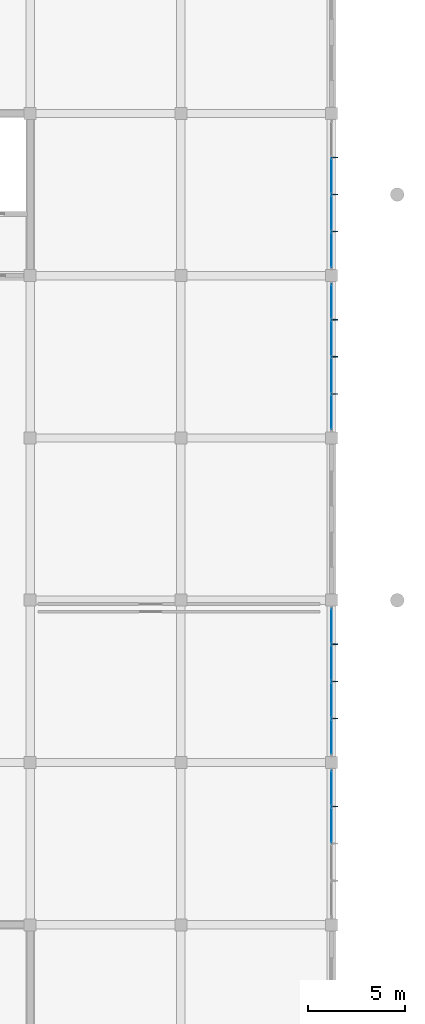
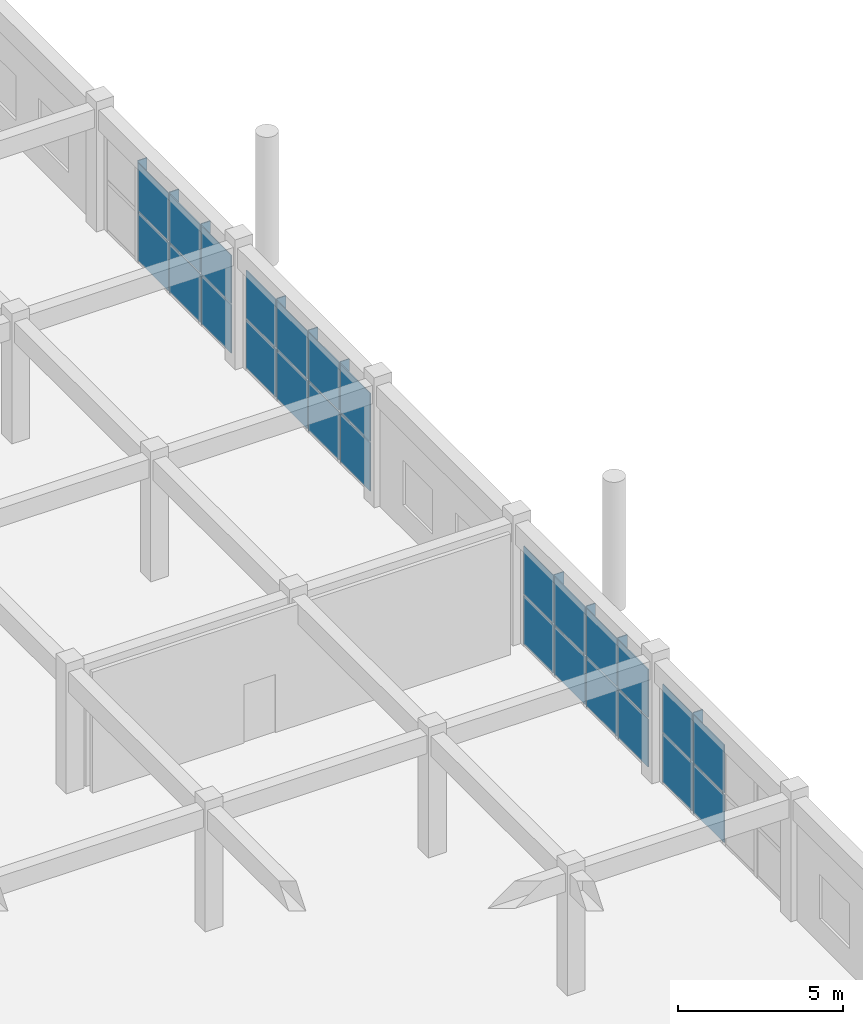
# One storey, part 145 of 167: 36 plates, 4 elements without a shape of their own.
"""IFC4 building model written with IfcOpenShell, lengths in metres."""

from ifc_helpers import new_model, si_unit, direction, frame, origin, origin_2d, place, context, subcontext, project, spatial, polyline, rectangle, outline, extrude, material, layer, layer_set, type_object, element, aggregate, save


model = new_model("IFC4")

# Units and contexts
model_context = context("Model", 3, precision=1e-05, world=origin(), true_north=direction((0.0, 1.0)))
body_context = subcontext(model_context, "Body", "Model", "MODEL_VIEW")
ifc_project = project(units=[si_unit("LENGTHUNIT", "METRE"), si_unit("AREAUNIT", "SQUARE_METRE"), si_unit("VOLUMEUNIT", "CUBIC_METRE"), si_unit("PLANEANGLEUNIT", "RADIAN"), si_unit("MASSUNIT", "GRAM", prefix="KILO")], contexts=[model_context])

# Site, building, storey
site_placement = place(None, origin())
site = spatial("IfcSite", under=ifc_project, at=site_placement, CompositionType="ELEMENT")
building_placement = place(site_placement, origin())
building = spatial("IfcBuilding", under=site, at=building_placement, Name="Zizhar Promenade General Hospital", CompositionType="ELEMENT")
storey_placement = place(building_placement, frame((0.0, 0.0, 9.60009765625)))
storey = spatial("IfcBuildingStorey", under=building, at=storey_placement, Name="L02", CompositionType="ELEMENT", Elevation=9.60009765625)

# Curtain wall, plates
ifc_material_1 = material(Name="Anodised aluminium 6063-T6 and low-E glass", Category="aluminium")
ifc_layer_1 = layer(ifc_material_1, 0.159912109375)
ifc_layer_set_1 = layer_set([ifc_layer_1], Name="Anodised aluminium 6063-T6 and low-E glass")
curtain_wall_type = type_object("IfcCurtainWallType", Name="CW-CLN-EXT", PredefinedType="NOTDEFINED", material=ifc_layer_set_1)
curtain_wall_1_placement = place(storey_placement, origin())
curtain_wall_1 = element("IfcCurtainWall", 1, at=curtain_wall_1_placement, inside=storey, type_object=curtain_wall_type, Name="Outpatient East Curtain Wall L02-7", PredefinedType="NOTDEFINED")
ifc_material_2 = material(Name="Low-E solar-control glass", Category="glass")
ifc_layer_2 = layer(ifc_material_2, 0.031982421875)
ifc_layer_set_2 = layer_set([ifc_layer_2], Name="Low-E solar-control glass")
plate_type_1 = type_object("IfcPlateType", Name="CWP-GLZ-32", PredefinedType="CURTAIN_PANEL", material=ifc_layer_set_2)
plate_1_placement = place(storey_placement, frame((195.0, 65.860107421875, 0.06005859375), z_axis=(0.0, 0.0, 1.0), x_axis=(0.0, -1.0, 0.0)))
plate_1 = element("IfcPlate", 2, at=plate_1_placement, type_object=plate_type_1, Name="CW-09 panel 1.1", PredefinedType="CURTAIN_PANEL", context=body_context, shape_type="SweptSolid", body=[
    extrude(rectangle(XDim=1.800048828125, YDim=0.031982421875, at=origin_2d()), origin(), (0.0, 0.0, 1.0), 1.77490234375),
])
plate_2_placement = place(storey_placement, frame((195.0, 65.860107421875, 1.89501953125), z_axis=(0.0, 0.0, 1.0), x_axis=(0.0, -1.0, 0.0)))
plate_2 = element("IfcPlate", 3, at=plate_2_placement, type_object=plate_type_1, Name="CW-09 panel 1.2", PredefinedType="CURTAIN_PANEL", context=body_context, shape_type="SweptSolid", body=[
    extrude(rectangle(XDim=1.800048828125, YDim=0.031982421875, at=origin_2d()), origin(), (0.0, 0.0, 1.0), 1.77490234375),
])
plate_3_placement = place(storey_placement, frame((195.0, 63.9599609375, 0.06005859375), z_axis=(0.0, 0.0, 1.0), x_axis=(0.0, -1.0, 0.0)))
plate_3 = element("IfcPlate", 4, at=plate_3_placement, type_object=plate_type_1, Name="CW-09 panel 2.1", PredefinedType="CURTAIN_PANEL", context=body_context, shape_type="SweptSolid", body=[
    extrude(rectangle(XDim=1.840087890625, YDim=0.031982421875, at=origin_2d()), origin(), (0.0, 0.0, 1.0), 1.77490234375),
])
plate_4_placement = place(storey_placement, frame((195.0, 63.9599609375, 1.89501953125), z_axis=(0.0, 0.0, 1.0), x_axis=(0.0, -1.0, 0.0)))
plate_4 = element("IfcPlate", 5, at=plate_4_placement, type_object=plate_type_1, Name="CW-09 panel 2.2", PredefinedType="CURTAIN_PANEL", context=body_context, shape_type="SweptSolid", body=[
    extrude(rectangle(XDim=1.840087890625, YDim=0.031982421875, at=origin_2d()), origin(), (0.0, 0.0, 1.0), 1.77490234375),
])
aggregate(curtain_wall_1, [plate_1, plate_2, plate_3, plate_4])

curtain_wall_2_placement = place(storey_placement, origin())
curtain_wall_2 = element("IfcCurtainWall", 6, at=curtain_wall_2_placement, inside=storey, type_object=curtain_wall_type, Name="Outpatient East Curtain Wall L02-8", PredefinedType="NOTDEFINED")
plate_5_placement = place(storey_placement, frame((195.0, 74.260009765625, 0.06005859375), z_axis=(0.0, 0.0, 1.0), x_axis=(0.0, -1.0, 0.0)))
plate_5 = element("IfcPlate", 7, at=plate_5_placement, type_object=plate_type_1, Name="CW-09 panel 1.1", PredefinedType="CURTAIN_PANEL", context=body_context, shape_type="SweptSolid", body=[
    extrude(rectangle(XDim=1.800048828125, YDim=0.031982421875, at=origin_2d()), origin(), (0.0, 0.0, 1.0), 1.77490234375),
])
plate_6_placement = place(storey_placement, frame((195.0, 74.260009765625, 1.89501953125), z_axis=(0.0, 0.0, 1.0), x_axis=(0.0, -1.0, 0.0)))
plate_6 = element("IfcPlate", 8, at=plate_6_placement, type_object=plate_type_1, Name="CW-09 panel 1.2", PredefinedType="CURTAIN_PANEL", context=body_context, shape_type="SweptSolid", body=[
    extrude(rectangle(XDim=1.800048828125, YDim=0.031982421875, at=origin_2d()), origin(), (0.0, 0.0, 1.0), 1.77490234375),
])
plate_7_placement = place(storey_placement, frame((195.0, 72.360107421875, 0.06005859375), z_axis=(0.0, 0.0, 1.0), x_axis=(0.0, -1.0, 0.0)))
plate_7 = element("IfcPlate", 9, at=plate_7_placement, type_object=plate_type_1, Name="CW-09 panel 2.1", PredefinedType="CURTAIN_PANEL", context=body_context, shape_type="SweptSolid", body=[
    extrude(rectangle(XDim=1.840087890625, YDim=0.031982421875, at=origin_2d()), origin(), (0.0, 0.0, 1.0), 1.77490234375),
])
plate_8_placement = place(storey_placement, frame((195.0, 72.360107421875, 1.89501953125), z_axis=(0.0, 0.0, 1.0), x_axis=(0.0, -1.0, 0.0)))
plate_8 = element("IfcPlate", 10, at=plate_8_placement, type_object=plate_type_1, Name="CW-09 panel 2.2", PredefinedType="CURTAIN_PANEL", context=body_context, shape_type="SweptSolid", body=[
    extrude(rectangle(XDim=1.840087890625, YDim=0.031982421875, at=origin_2d()), origin(), (0.0, 0.0, 1.0), 1.77490234375),
])
plate_9_placement = place(storey_placement, frame((195.0, 70.43994140625, 0.06005859375), z_axis=(0.0, 0.0, 1.0), x_axis=(0.0, -1.0, 0.0)))
plate_9 = element("IfcPlate", 11, at=plate_9_placement, type_object=plate_type_1, Name="CW-09 panel 3.1", PredefinedType="CURTAIN_PANEL", context=body_context, shape_type="SweptSolid", body=[
    extrude(rectangle(XDim=1.840087890625, YDim=0.031982421875, at=origin_2d()), origin(), (0.0, 0.0, 1.0), 1.77490234375),
])
plate_10_placement = place(storey_placement, frame((195.0, 70.43994140625, 1.89501953125), z_axis=(0.0, 0.0, 1.0), x_axis=(0.0, -1.0, 0.0)))
plate_10 = element("IfcPlate", 12, at=plate_10_placement, type_object=plate_type_1, Name="CW-09 panel 3.2", PredefinedType="CURTAIN_PANEL", context=body_context, shape_type="SweptSolid", body=[
    extrude(rectangle(XDim=1.840087890625, YDim=0.031982421875, at=origin_2d()), origin(), (0.0, 0.0, 1.0), 1.77490234375),
])
plate_11_placement = place(storey_placement, frame((195.0, 68.5400390625, 0.06005859375), z_axis=(0.0, 0.0, 1.0), x_axis=(0.0, -1.0, 0.0)))
plate_11 = element("IfcPlate", 13, at=plate_11_placement, type_object=plate_type_1, Name="CW-09 panel 4.1", PredefinedType="CURTAIN_PANEL", context=body_context, shape_type="SweptSolid", body=[
    extrude(rectangle(XDim=1.800048828125, YDim=0.031982421875, at=origin_2d()), origin(), (0.0, 0.0, 1.0), 1.77490234375),
])
plate_12_placement = place(storey_placement, frame((195.0, 68.5400390625, 1.89501953125), z_axis=(0.0, 0.0, 1.0), x_axis=(0.0, -1.0, 0.0)))
plate_12 = element("IfcPlate", 14, at=plate_12_placement, type_object=plate_type_1, Name="CW-09 panel 4.2", PredefinedType="CURTAIN_PANEL", context=body_context, shape_type="SweptSolid", body=[
    extrude(rectangle(XDim=1.800048828125, YDim=0.031982421875, at=origin_2d()), origin(), (0.0, 0.0, 1.0), 1.77490234375),
])
aggregate(curtain_wall_2, [plate_5, plate_6, plate_7, plate_8, plate_9, plate_10, plate_11, plate_12])

curtain_wall_3_placement = place(storey_placement, origin())
curtain_wall_3 = element("IfcCurtainWall", 15, at=curtain_wall_3_placement, inside=storey, type_object=curtain_wall_type, Name="Outpatient East Curtain Wall L02-10", PredefinedType="NOTDEFINED")
plate_13_placement = place(storey_placement, frame((195.0, 91.06005859375, 0.06005859375), z_axis=(0.0, 0.0, 1.0), x_axis=(0.0, -1.0, 0.0)))
plate_13 = element("IfcPlate", 16, at=plate_13_placement, type_object=plate_type_1, Name="CW-09 panel 1.1", PredefinedType="CURTAIN_PANEL", context=body_context, shape_type="SweptSolid", body=[
    extrude(rectangle(XDim=1.800048828125, YDim=0.031982421875, at=origin_2d()), origin(), (0.0, 0.0, 1.0), 1.77490234375),
])
plate_14_placement = place(storey_placement, frame((195.0, 91.06005859375, 1.89501953125), z_axis=(0.0, 0.0, 1.0), x_axis=(0.0, -1.0, 0.0)))
plate_14 = element("IfcPlate", 17, at=plate_14_placement, type_object=plate_type_1, Name="CW-09 panel 1.2", PredefinedType="CURTAIN_PANEL", context=body_context, shape_type="SweptSolid", body=[
    extrude(rectangle(XDim=1.800048828125, YDim=0.031982421875, at=origin_2d()), origin(), (0.0, 0.0, 1.0), 1.77490234375),
])
plate_15_placement = place(storey_placement, frame((195.0, 89.159912109375, 0.06005859375), z_axis=(0.0, 0.0, 1.0), x_axis=(0.0, -1.0, 0.0)))
plate_15 = element("IfcPlate", 18, at=plate_15_placement, type_object=plate_type_1, Name="CW-09 panel 2.1", PredefinedType="CURTAIN_PANEL", context=body_context, shape_type="SweptSolid", body=[
    extrude(rectangle(XDim=1.840087890625, YDim=0.031982421875, at=origin_2d()), origin(), (0.0, 0.0, 1.0), 1.77490234375),
])
plate_16_placement = place(storey_placement, frame((195.0, 89.159912109375, 1.89501953125), z_axis=(0.0, 0.0, 1.0), x_axis=(0.0, -1.0, 0.0)))
plate_16 = element("IfcPlate", 19, at=plate_16_placement, type_object=plate_type_1, Name="CW-09 panel 2.2", PredefinedType="CURTAIN_PANEL", context=body_context, shape_type="SweptSolid", body=[
    extrude(rectangle(XDim=1.840087890625, YDim=0.031982421875, at=origin_2d()), origin(), (0.0, 0.0, 1.0), 1.77490234375),
])
plate_17_placement = place(storey_placement, frame((195.0, 87.239990234375, 0.06005859375), z_axis=(0.0, 0.0, 1.0), x_axis=(0.0, -1.0, 0.0)))
plate_17 = element("IfcPlate", 20, at=plate_17_placement, type_object=plate_type_1, Name="CW-09 panel 3.1", PredefinedType="CURTAIN_PANEL", context=body_context, shape_type="SweptSolid", body=[
    extrude(rectangle(XDim=1.840087890625, YDim=0.031982421875, at=origin_2d()), origin(), (0.0, 0.0, 1.0), 1.77490234375),
])
plate_18_placement = place(storey_placement, frame((195.0, 87.239990234375, 1.89501953125), z_axis=(0.0, 0.0, 1.0), x_axis=(0.0, -1.0, 0.0)))
plate_18 = element("IfcPlate", 21, at=plate_18_placement, type_object=plate_type_1, Name="CW-09 panel 3.2", PredefinedType="CURTAIN_PANEL", context=body_context, shape_type="SweptSolid", body=[
    extrude(rectangle(XDim=1.840087890625, YDim=0.031982421875, at=origin_2d()), origin(), (0.0, 0.0, 1.0), 1.77490234375),
])
plate_19_placement = place(storey_placement, frame((195.0, 85.340087890625, 0.06005859375), z_axis=(0.0, 0.0, 1.0), x_axis=(0.0, -1.0, 0.0)))
plate_19 = element("IfcPlate", 22, at=plate_19_placement, type_object=plate_type_1, Name="CW-09 panel 4.1", PredefinedType="CURTAIN_PANEL", context=body_context, shape_type="SweptSolid", body=[
    extrude(rectangle(XDim=1.800048828125, YDim=0.031982421875, at=origin_2d()), origin(), (0.0, 0.0, 1.0), 1.77490234375),
])
plate_20_placement = place(storey_placement, frame((195.0, 85.340087890625, 1.89501953125), z_axis=(0.0, 0.0, 1.0), x_axis=(0.0, -1.0, 0.0)))
plate_20 = element("IfcPlate", 23, at=plate_20_placement, type_object=plate_type_1, Name="CW-09 panel 4.2", PredefinedType="CURTAIN_PANEL", context=body_context, shape_type="SweptSolid", body=[
    extrude(rectangle(XDim=1.800048828125, YDim=0.031982421875, at=origin_2d()), origin(), (0.0, 0.0, 1.0), 1.77490234375),
])
aggregate(curtain_wall_3, [plate_13, plate_14, plate_15, plate_16, plate_17, plate_18, plate_19, plate_20])

curtain_wall_4_placement = place(storey_placement, origin())
curtain_wall_4 = element("IfcCurtainWall", 24, at=curtain_wall_4_placement, inside=storey, type_object=curtain_wall_type, Name="Outpatient East Curtain Wall L02-11", PredefinedType="NOTDEFINED")
plate_21_placement = place(storey_placement, frame((195.0, 97.56005859375, 0.06005859375), z_axis=(0.0, 0.0, 1.0), x_axis=(0.0, -1.0, 0.0)))
plate_21 = element("IfcPlate", 25, at=plate_21_placement, type_object=plate_type_1, Name="CW-09 panel 2.1", PredefinedType="CURTAIN_PANEL", context=body_context, shape_type="SweptSolid", body=[
    extrude(rectangle(XDim=1.840087890625, YDim=0.031982421875, at=origin_2d()), origin(), (0.0, 0.0, 1.0), 1.77490234375),
])
plate_22_placement = place(storey_placement, frame((195.0, 97.56005859375, 1.89501953125), z_axis=(0.0, 0.0, 1.0), x_axis=(0.0, -1.0, 0.0)))
plate_22 = element("IfcPlate", 26, at=plate_22_placement, type_object=plate_type_1, Name="CW-09 panel 2.2", PredefinedType="CURTAIN_PANEL", context=body_context, shape_type="SweptSolid", body=[
    extrude(rectangle(XDim=1.840087890625, YDim=0.031982421875, at=origin_2d()), origin(), (0.0, 0.0, 1.0), 1.77490234375),
])
plate_23_placement = place(storey_placement, frame((195.0, 95.639892578125, 0.06005859375), z_axis=(0.0, 0.0, 1.0), x_axis=(0.0, -1.0, 0.0)))
plate_23 = element("IfcPlate", 27, at=plate_23_placement, type_object=plate_type_1, Name="CW-09 panel 3.1", PredefinedType="CURTAIN_PANEL", context=body_context, shape_type="SweptSolid", body=[
    extrude(rectangle(XDim=1.840087890625, YDim=0.031982421875, at=origin_2d()), origin(), (0.0, 0.0, 1.0), 1.77490234375),
])
plate_24_placement = place(storey_placement, frame((195.0, 95.639892578125, 1.89501953125), z_axis=(0.0, 0.0, 1.0), x_axis=(0.0, -1.0, 0.0)))
plate_24 = element("IfcPlate", 28, at=plate_24_placement, type_object=plate_type_1, Name="CW-09 panel 3.2", PredefinedType="CURTAIN_PANEL", context=body_context, shape_type="SweptSolid", body=[
    extrude(rectangle(XDim=1.840087890625, YDim=0.031982421875, at=origin_2d()), origin(), (0.0, 0.0, 1.0), 1.77490234375),
])
plate_25_placement = place(storey_placement, frame((195.0, 93.739990234375, 0.06005859375), z_axis=(0.0, 0.0, 1.0), x_axis=(0.0, -1.0, 0.0)))
plate_25 = element("IfcPlate", 29, at=plate_25_placement, type_object=plate_type_1, Name="CW-09 panel 4.1", PredefinedType="CURTAIN_PANEL", context=body_context, shape_type="SweptSolid", body=[
    extrude(rectangle(XDim=1.800048828125, YDim=0.031982421875, at=origin_2d()), origin(), (0.0, 0.0, 1.0), 1.77490234375),
])
plate_26_placement = place(storey_placement, frame((195.0, 93.739990234375, 1.89501953125), z_axis=(0.0, 0.0, 1.0), x_axis=(0.0, -1.0, 0.0)))
plate_26 = element("IfcPlate", 30, at=plate_26_placement, type_object=plate_type_1, Name="CW-09 panel 4.2", PredefinedType="CURTAIN_PANEL", context=body_context, shape_type="SweptSolid", body=[
    extrude(rectangle(XDim=1.800048828125, YDim=0.031982421875, at=origin_2d()), origin(), (0.0, 0.0, 1.0), 1.77490234375),
])
aggregate(curtain_wall_4, [plate_21, plate_22, plate_23, plate_24, plate_25, plate_26])

# Plates
ifc_material_3 = material(Name="Anodised aluminium 6063-T6", Category="aluminium")
ifc_layer_3 = layer(ifc_material_3, 0.033935546875)
ifc_layer_set_3 = layer_set([ifc_layer_3], Name="Anodised aluminium 6063-T6")
plate_type_2 = type_object("IfcPlateType", Name="FIN-ALU-320", PredefinedType="USERDEFINED", material=ifc_layer_set_3)
plate_27_placement = place(storey_placement, origin())
element("IfcPlate", 31, at=plate_27_placement, inside=storey, type_object=plate_type_2, Name="Outpatient East Curtain Wall L02-7 Solar Fin 1", ObjectType="SOLAR_SHADE", PredefinedType="USERDEFINED", context=body_context, shape_type="SweptSolid", body=[
    extrude(outline(polyline([(195.0, 64.93701171875), (195.0, 64.903076171875), (195.320068359375, 64.903076171875), (195.320068359375, 64.93701171875), (195.0, 64.93701171875)])), origin(), (0.0, 0.0, 1.0), 3.72998046875),
])
plate_28_placement = place(storey_placement, origin())
element("IfcPlate", 32, at=plate_28_placement, inside=storey, type_object=plate_type_2, Name="Outpatient East Curtain Wall L02-8 Solar Fin 1", ObjectType="SOLAR_SHADE", PredefinedType="USERDEFINED", context=body_context, shape_type="SweptSolid", body=[
    extrude(outline(polyline([(195.0, 73.3369140625), (195.0, 73.302978515625), (195.320068359375, 73.302978515625), (195.320068359375, 73.3369140625), (195.0, 73.3369140625)])), origin(), (0.0, 0.0, 1.0), 3.72998046875),
])
plate_29_placement = place(storey_placement, origin())
element("IfcPlate", 33, at=plate_29_placement, inside=storey, type_object=plate_type_2, Name="Outpatient East Curtain Wall L02-8 Solar Fin 2", ObjectType="SOLAR_SHADE", PredefinedType="USERDEFINED", context=body_context, shape_type="SweptSolid", body=[
    extrude(outline(polyline([(195.0, 71.4169921875), (195.0, 71.383056640625), (195.320068359375, 71.383056640625), (195.320068359375, 71.4169921875), (195.0, 71.4169921875)])), origin(), (0.0, 0.0, 1.0), 3.72998046875),
])
plate_30_placement = place(storey_placement, origin())
element("IfcPlate", 34, at=plate_30_placement, inside=storey, type_object=plate_type_2, Name="Outpatient East Curtain Wall L02-8 Solar Fin 3", ObjectType="SOLAR_SHADE", PredefinedType="USERDEFINED", context=body_context, shape_type="SweptSolid", body=[
    extrude(outline(polyline([(195.0, 69.4970703125), (195.0, 69.462890625), (195.320068359375, 69.462890625), (195.320068359375, 69.4970703125), (195.0, 69.4970703125)])), origin(), (0.0, 0.0, 1.0), 3.72998046875),
])
plate_31_placement = place(storey_placement, origin())
element("IfcPlate", 35, at=plate_31_placement, inside=storey, type_object=plate_type_2, Name="Outpatient East Curtain Wall L02-10 Solar Fin 1", ObjectType="SOLAR_SHADE", PredefinedType="USERDEFINED", context=body_context, shape_type="SweptSolid", body=[
    extrude(outline(polyline([(195.0, 90.136962890625), (195.0, 90.10302734375), (195.320068359375, 90.10302734375), (195.320068359375, 90.136962890625), (195.0, 90.136962890625)])), origin(), (0.0, 0.0, 1.0), 3.72998046875),
])
plate_32_placement = place(storey_placement, origin())
element("IfcPlate", 36, at=plate_32_placement, inside=storey, type_object=plate_type_2, Name="Outpatient East Curtain Wall L02-10 Solar Fin 2", ObjectType="SOLAR_SHADE", PredefinedType="USERDEFINED", context=body_context, shape_type="SweptSolid", body=[
    extrude(outline(polyline([(195.0, 88.217041015625), (195.0, 88.18310546875), (195.320068359375, 88.18310546875), (195.320068359375, 88.217041015625), (195.0, 88.217041015625)])), origin(), (0.0, 0.0, 1.0), 3.72998046875),
])
plate_33_placement = place(storey_placement, origin())
element("IfcPlate", 37, at=plate_33_placement, inside=storey, type_object=plate_type_2, Name="Outpatient East Curtain Wall L02-10 Solar Fin 3", ObjectType="SOLAR_SHADE", PredefinedType="USERDEFINED", context=body_context, shape_type="SweptSolid", body=[
    extrude(outline(polyline([(195.0, 86.297119140625), (195.0, 86.262939453125), (195.320068359375, 86.262939453125), (195.320068359375, 86.297119140625), (195.0, 86.297119140625)])), origin(), (0.0, 0.0, 1.0), 3.72998046875),
])
plate_34_placement = place(storey_placement, origin())
element("IfcPlate", 38, at=plate_34_placement, inside=storey, type_object=plate_type_2, Name="Outpatient East Curtain Wall L02-11 Solar Fin 1", ObjectType="SOLAR_SHADE", PredefinedType="USERDEFINED", context=body_context, shape_type="SweptSolid", body=[
    extrude(outline(polyline([(195.0, 98.537109375), (195.0, 98.5029296875), (195.320068359375, 98.5029296875), (195.320068359375, 98.537109375), (195.0, 98.537109375)])), origin(), (0.0, 0.0, 1.0), 3.72998046875),
])
plate_35_placement = place(storey_placement, origin())
element("IfcPlate", 39, at=plate_35_placement, inside=storey, type_object=plate_type_2, Name="Outpatient East Curtain Wall L02-11 Solar Fin 2", ObjectType="SOLAR_SHADE", PredefinedType="USERDEFINED", context=body_context, shape_type="SweptSolid", body=[
    extrude(outline(polyline([(195.0, 96.616943359375), (195.0, 96.5830078125), (195.320068359375, 96.5830078125), (195.320068359375, 96.616943359375), (195.0, 96.616943359375)])), origin(), (0.0, 0.0, 1.0), 3.72998046875),
])
plate_36_placement = place(storey_placement, origin())
element("IfcPlate", 40, at=plate_36_placement, inside=storey, type_object=plate_type_2, Name="Outpatient East Curtain Wall L02-11 Solar Fin 3", ObjectType="SOLAR_SHADE", PredefinedType="USERDEFINED", context=body_context, shape_type="SweptSolid", body=[
    extrude(outline(polyline([(195.0, 94.697021484375), (195.0, 94.6630859375), (195.320068359375, 94.6630859375), (195.320068359375, 94.697021484375), (195.0, 94.697021484375)])), origin(), (0.0, 0.0, 1.0), 3.72998046875),
])

save(model, "model.ifc")
